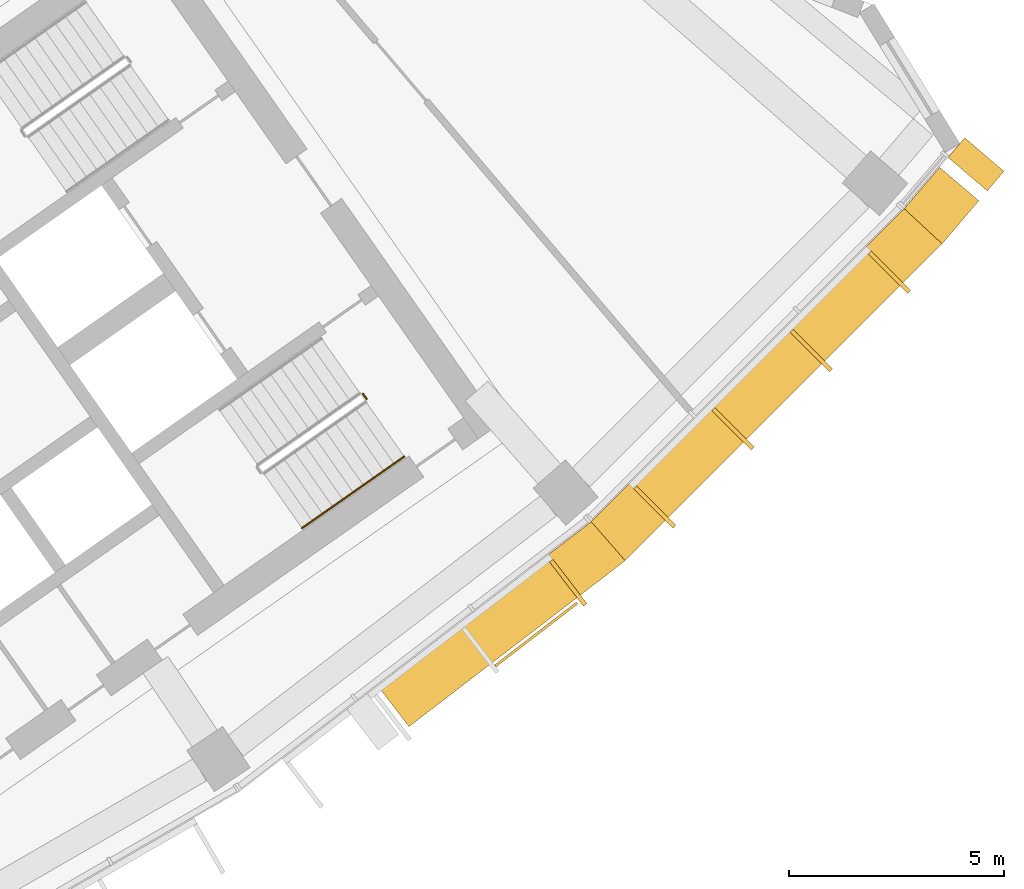
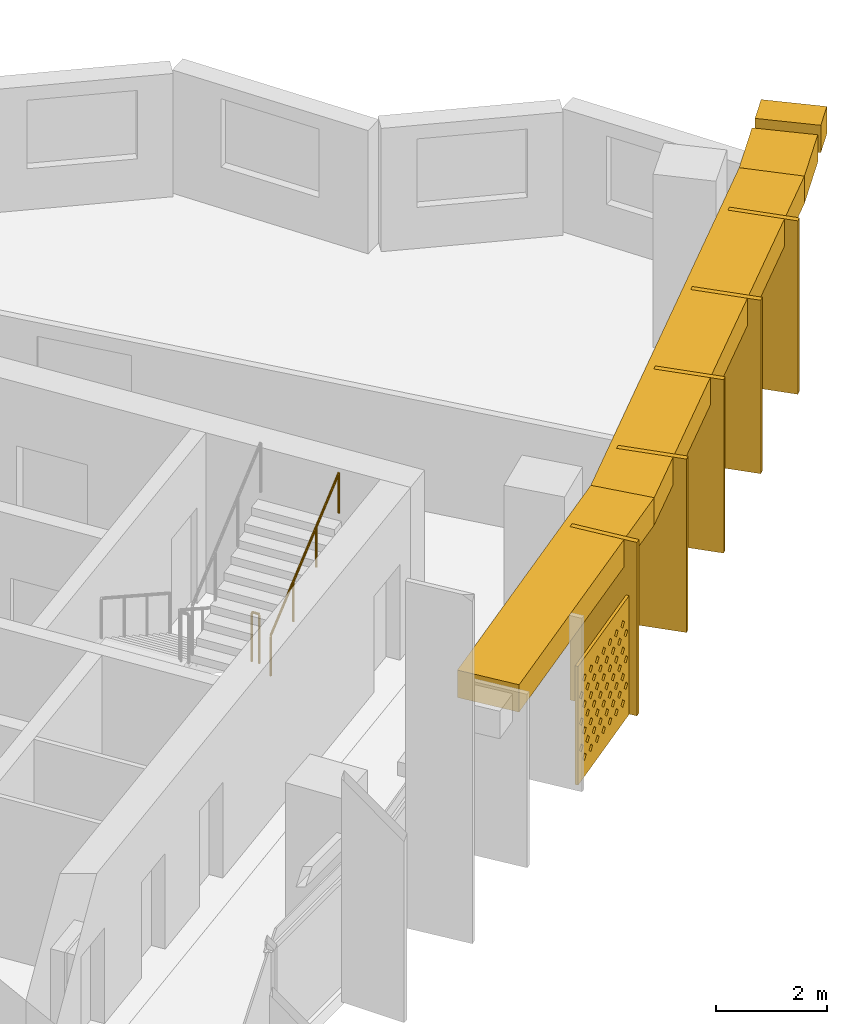
# One storey, part 27 of 27: 10 shading devices, 2 railings.
"""IFC4 building model written with IfcOpenShell, lengths in metres."""

from ifc_helpers import new_model, si_unit, direction, frame, origin, origin_2d, place, context, subcontext, project, spatial, polyline, rectangle, circle, outline, extrude, material, material_profile, profile_set, type_object, element, save


model = new_model("IFC4")

# Units and contexts
model_context = context("Model", 3, precision=1e-05, world=origin(), true_north=direction((0.0, 1.0)))
body_context = subcontext(model_context, "Body", "Model", "MODEL_VIEW")
ifc_project = project(units=[si_unit("LENGTHUNIT", "METRE"), si_unit("AREAUNIT", "SQUARE_METRE"), si_unit("VOLUMEUNIT", "CUBIC_METRE"), si_unit("PLANEANGLEUNIT", "RADIAN"), si_unit("MASSUNIT", "GRAM", prefix="KILO")], contexts=[model_context])

# Site, building, storey
site_placement = place(None, origin())
site = spatial("IfcSite", under=ifc_project, at=site_placement, CompositionType="ELEMENT")
building_placement = place(site_placement, origin())
building = spatial("IfcBuilding", under=site, at=building_placement, Name="Qamariyya Broadcast Tower", CompositionType="ELEMENT")
storey_placement = place(building_placement, frame((0.0, 0.0, 211.300048828125)))
storey = spatial("IfcBuildingStorey", under=building, at=storey_placement, Name="L50", CompositionType="ELEMENT", Elevation=211.300048828125)

# Shading devices
ifc_material_1 = material(Name="Steel S355 powder coated deep red", Category="steel")
shading_device_type_1 = type_object("IfcShadingDeviceType", Name="Deep red frame, powder coated steel box section", PredefinedType="USERDEFINED", material=ifc_material_1)
shading_device_1_placement = place(storey_placement, frame((0.0, 0.0, 3.199951171875)))
element("IfcShadingDevice", 1, at=shading_device_1_placement, inside=storey, type_object=shading_device_type_1, Name="e-frm-B4-F4-postb-L50", ObjectType="FRAME", PredefinedType="USERDEFINED", context=body_context, shape_type="SweptSolid", body=[
    extrude(outline(polyline([(60.1494140625, -50.664794921875), (61.0625, -51.443603515625), (61.451904296875, -50.987060546875), (60.538818359375, -50.208251953125), (60.1494140625, -50.664794921875)])), origin(), (0.0, 0.0, 1.0), 0.60009765625),
])
shading_device_2_placement = place(storey_placement, frame((0.0, 0.0, 3.199951171875)))
element("IfcShadingDevice", 2, at=shading_device_2_placement, inside=storey, type_object=shading_device_type_1, Name="e-frm-B4-F4-bot0", ObjectType="FRAME", PredefinedType="USERDEFINED", context=body_context, shape_type="SweptSolid", body=[
    extrude(outline(polyline([(46.892333984375, -62.942138671875), (47.622802734375, -63.894287109375), (52.650390625, -60.036376953125), (51.857666015625, -59.132080078125), (46.892333984375, -62.942138671875)])), origin(), (0.0, 0.0, 1.0), 0.60009765625),
])
shading_device_3_placement = place(storey_placement, frame((0.0, 0.0, 3.199951171875)))
element("IfcShadingDevice", 3, at=shading_device_3_placement, inside=storey, type_object=shading_device_type_1, Name="e-frm-B4-F4-bot1", ObjectType="FRAME", PredefinedType="USERDEFINED", context=body_context, shape_type="SweptSolid", body=[
    extrude(outline(polyline([(51.857666015625, -59.132080078125), (52.650390625, -60.036376953125), (60.014404296875, -52.67236328125), (59.132080078125, -51.857666015625), (51.857666015625, -59.132080078125)])), origin(), (0.0, 0.0, 1.0), 0.60009765625),
])
shading_device_4_placement = place(storey_placement, frame((0.0, 0.0, 3.199951171875)))
element("IfcShadingDevice", 4, at=shading_device_4_placement, inside=storey, type_object=shading_device_type_1, Name="e-frm-B4-F4-bot2", ObjectType="FRAME", PredefinedType="USERDEFINED", context=body_context, shape_type="SweptSolid", body=[
    extrude(outline(polyline([(59.132080078125, -51.857666015625), (60.014404296875, -52.67236328125), (60.867919921875, -51.671875), (59.954833984375, -50.89306640625), (59.132080078125, -51.857666015625)])), origin(), (0.0, 0.0, 1.0), 0.60009765625),
])
ifc_material_2 = material(Name="Perforated glazed terracotta", Category="masonry")
ifc_material_profile_1 = material_profile(ifc_material_2, outline(polyline([(-1.199951171875, -1.300048828125), (1.199951171875, -1.300048828125), (1.199951171875, 1.300048828125), (-1.199951171875, 1.300048828125), (-1.199951171875, -1.300048828125)]), holes=[polyline([(-0.81494140625, -0.86669921875), (-0.89990234375, -0.78173828125), (-0.985107421875, -0.86669921875), (-0.89990234375, -0.95166015625), (-0.81494140625, -0.86669921875)]), polyline([(-0.514892578125, -0.86669921875), (-0.60009765625, -0.78173828125), (-0.68505859375, -0.86669921875), (-0.60009765625, -0.95166015625), (-0.514892578125, -0.86669921875)]), polyline([(-0.215087890625, -0.86669921875), (-0.300048828125, -0.78173828125), (-0.385009765625, -0.86669921875), (-0.300048828125, -0.95166015625), (-0.215087890625, -0.86669921875)]), polyline([(0.0849609375, -0.86669921875), (0.0, -0.78173828125), (-0.0849609375, -0.86669921875), (0.0, -0.95166015625), (0.0849609375, -0.86669921875)]), polyline([(0.385009765625, -0.86669921875), (0.300048828125, -0.78173828125), (0.215087890625, -0.86669921875), (0.300048828125, -0.95166015625), (0.385009765625, -0.86669921875)]), polyline([(0.68505859375, -0.86669921875), (0.60009765625, -0.78173828125), (0.514892578125, -0.86669921875), (0.60009765625, -0.95166015625), (0.68505859375, -0.86669921875)]), polyline([(0.985107421875, -0.86669921875), (0.89990234375, -0.78173828125), (0.81494140625, -0.86669921875), (0.89990234375, -0.95166015625), (0.985107421875, -0.86669921875)]), polyline([(-0.965087890625, -0.577880859375), (-1.050048828125, -0.49267578125), (-1.135009765625, -0.577880859375), (-1.050048828125, -0.662841796875), (-0.965087890625, -0.577880859375)]), polyline([(-0.6650390625, -0.577880859375), (-0.75, -0.49267578125), (-0.8349609375, -0.577880859375), (-0.75, -0.662841796875), (-0.6650390625, -0.577880859375)]), polyline([(-0.364990234375, -0.577880859375), (-0.449951171875, -0.49267578125), (-0.534912109375, -0.577880859375), (-0.449951171875, -0.662841796875), (-0.364990234375, -0.577880859375)]), polyline([(-0.06494140625, -0.577880859375), (-0.14990234375, -0.49267578125), (-0.235107421875, -0.577880859375), (-0.14990234375, -0.662841796875), (-0.06494140625, -0.577880859375)]), polyline([(0.235107421875, -0.577880859375), (0.14990234375, -0.49267578125), (0.06494140625, -0.577880859375), (0.14990234375, -0.662841796875), (0.235107421875, -0.577880859375)]), polyline([(0.534912109375, -0.577880859375), (0.449951171875, -0.49267578125), (0.364990234375, -0.577880859375), (0.449951171875, -0.662841796875), (0.534912109375, -0.577880859375)]), polyline([(0.8349609375, -0.577880859375), (0.75, -0.49267578125), (0.6650390625, -0.577880859375), (0.75, -0.662841796875), (0.8349609375, -0.577880859375)]), polyline([(1.135009765625, -0.577880859375), (1.050048828125, -0.49267578125), (0.965087890625, -0.577880859375), (1.050048828125, -0.662841796875), (1.135009765625, -0.577880859375)]), polyline([(-0.81494140625, -0.288818359375), (-0.89990234375, -0.203857421875), (-0.985107421875, -0.288818359375), (-0.89990234375, -0.373779296875), (-0.81494140625, -0.288818359375)]), polyline([(-0.514892578125, -0.288818359375), (-0.60009765625, -0.203857421875), (-0.68505859375, -0.288818359375), (-0.60009765625, -0.373779296875), (-0.514892578125, -0.288818359375)]), polyline([(-0.215087890625, -0.288818359375), (-0.300048828125, -0.203857421875), (-0.385009765625, -0.288818359375), (-0.300048828125, -0.373779296875), (-0.215087890625, -0.288818359375)]), polyline([(0.0849609375, -0.288818359375), (0.0, -0.203857421875), (-0.0849609375, -0.288818359375), (0.0, -0.373779296875), (0.0849609375, -0.288818359375)]), polyline([(0.385009765625, -0.288818359375), (0.300048828125, -0.203857421875), (0.215087890625, -0.288818359375), (0.300048828125, -0.373779296875), (0.385009765625, -0.288818359375)]), polyline([(0.68505859375, -0.288818359375), (0.60009765625, -0.203857421875), (0.514892578125, -0.288818359375), (0.60009765625, -0.373779296875), (0.68505859375, -0.288818359375)]), polyline([(0.985107421875, -0.288818359375), (0.89990234375, -0.203857421875), (0.81494140625, -0.288818359375), (0.89990234375, -0.373779296875), (0.985107421875, -0.288818359375)]), polyline([(-0.965087890625, 0.0), (-1.050048828125, 0.0849609375), (-1.135009765625, 0.0), (-1.050048828125, -0.0849609375), (-0.965087890625, 0.0)]), polyline([(-0.6650390625, 0.0), (-0.75, 0.0849609375), (-0.8349609375, 0.0), (-0.75, -0.0849609375), (-0.6650390625, 0.0)]), polyline([(-0.364990234375, 0.0), (-0.449951171875, 0.0849609375), (-0.534912109375, 0.0), (-0.449951171875, -0.0849609375), (-0.364990234375, 0.0)]), polyline([(-0.06494140625, 0.0), (-0.14990234375, 0.0849609375), (-0.235107421875, 0.0), (-0.14990234375, -0.0849609375), (-0.06494140625, 0.0)]), polyline([(0.235107421875, 0.0), (0.14990234375, 0.0849609375), (0.06494140625, 0.0), (0.14990234375, -0.0849609375), (0.235107421875, 0.0)]), polyline([(0.534912109375, 0.0), (0.449951171875, 0.0849609375), (0.364990234375, 0.0), (0.449951171875, -0.0849609375), (0.534912109375, 0.0)]), polyline([(0.8349609375, 0.0), (0.75, 0.0849609375), (0.6650390625, 0.0), (0.75, -0.0849609375), (0.8349609375, 0.0)]), polyline([(1.135009765625, 0.0), (1.050048828125, 0.0849609375), (0.965087890625, 0.0), (1.050048828125, -0.0849609375), (1.135009765625, 0.0)]), polyline([(-0.81494140625, 0.288818359375), (-0.89990234375, 0.373779296875), (-0.985107421875, 0.288818359375), (-0.89990234375, 0.203857421875), (-0.81494140625, 0.288818359375)]), polyline([(-0.514892578125, 0.288818359375), (-0.60009765625, 0.373779296875), (-0.68505859375, 0.288818359375), (-0.60009765625, 0.203857421875), (-0.514892578125, 0.288818359375)]), polyline([(-0.215087890625, 0.288818359375), (-0.300048828125, 0.373779296875), (-0.385009765625, 0.288818359375), (-0.300048828125, 0.203857421875), (-0.215087890625, 0.288818359375)]), polyline([(0.0849609375, 0.288818359375), (0.0, 0.373779296875), (-0.0849609375, 0.288818359375), (0.0, 0.203857421875), (0.0849609375, 0.288818359375)]), polyline([(0.385009765625, 0.288818359375), (0.300048828125, 0.373779296875), (0.215087890625, 0.288818359375), (0.300048828125, 0.203857421875), (0.385009765625, 0.288818359375)]), polyline([(0.68505859375, 0.288818359375), (0.60009765625, 0.373779296875), (0.514892578125, 0.288818359375), (0.60009765625, 0.203857421875), (0.68505859375, 0.288818359375)]), polyline([(0.985107421875, 0.288818359375), (0.89990234375, 0.373779296875), (0.81494140625, 0.288818359375), (0.89990234375, 0.203857421875), (0.985107421875, 0.288818359375)]), polyline([(-0.965087890625, 0.577880859375), (-1.050048828125, 0.662841796875), (-1.135009765625, 0.577880859375), (-1.050048828125, 0.49267578125), (-0.965087890625, 0.577880859375)]), polyline([(-0.6650390625, 0.577880859375), (-0.75, 0.662841796875), (-0.8349609375, 0.577880859375), (-0.75, 0.49267578125), (-0.6650390625, 0.577880859375)]), polyline([(-0.364990234375, 0.577880859375), (-0.449951171875, 0.662841796875), (-0.534912109375, 0.577880859375), (-0.449951171875, 0.49267578125), (-0.364990234375, 0.577880859375)]), polyline([(-0.06494140625, 0.577880859375), (-0.14990234375, 0.662841796875), (-0.235107421875, 0.577880859375), (-0.14990234375, 0.49267578125), (-0.06494140625, 0.577880859375)]), polyline([(0.235107421875, 0.577880859375), (0.14990234375, 0.662841796875), (0.06494140625, 0.577880859375), (0.14990234375, 0.49267578125), (0.235107421875, 0.577880859375)]), polyline([(0.534912109375, 0.577880859375), (0.449951171875, 0.662841796875), (0.364990234375, 0.577880859375), (0.449951171875, 0.49267578125), (0.534912109375, 0.577880859375)]), polyline([(0.8349609375, 0.577880859375), (0.75, 0.662841796875), (0.6650390625, 0.577880859375), (0.75, 0.49267578125), (0.8349609375, 0.577880859375)]), polyline([(1.135009765625, 0.577880859375), (1.050048828125, 0.662841796875), (0.965087890625, 0.577880859375), (1.050048828125, 0.49267578125), (1.135009765625, 0.577880859375)]), polyline([(-0.81494140625, 0.86669921875), (-0.89990234375, 0.95166015625), (-0.985107421875, 0.86669921875), (-0.89990234375, 0.78173828125), (-0.81494140625, 0.86669921875)]), polyline([(-0.514892578125, 0.86669921875), (-0.60009765625, 0.95166015625), (-0.68505859375, 0.86669921875), (-0.60009765625, 0.78173828125), (-0.514892578125, 0.86669921875)]), polyline([(-0.215087890625, 0.86669921875), (-0.300048828125, 0.95166015625), (-0.385009765625, 0.86669921875), (-0.300048828125, 0.78173828125), (-0.215087890625, 0.86669921875)]), polyline([(0.0849609375, 0.86669921875), (0.0, 0.95166015625), (-0.0849609375, 0.86669921875), (0.0, 0.78173828125), (0.0849609375, 0.86669921875)]), polyline([(0.385009765625, 0.86669921875), (0.300048828125, 0.95166015625), (0.215087890625, 0.86669921875), (0.300048828125, 0.78173828125), (0.385009765625, 0.86669921875)]), polyline([(0.68505859375, 0.86669921875), (0.60009765625, 0.95166015625), (0.514892578125, 0.86669921875), (0.60009765625, 0.78173828125), (0.68505859375, 0.86669921875)]), polyline([(0.985107421875, 0.86669921875), (0.89990234375, 0.95166015625), (0.81494140625, 0.86669921875), (0.89990234375, 0.78173828125), (0.985107421875, 0.86669921875)])]))
ifc_profile_set_1 = profile_set([ifc_material_profile_1], Name="Perforated glazed terracotta")
shading_device_type_2 = type_object("IfcShadingDeviceType", Name="Perforated terracotta screen 2400 x 2600", PredefinedType="USERDEFINED", material=ifc_profile_set_1)
shading_device_5_placement = place(storey_placement, frame((50.5615234375, -61.727294921875, 1.349853515625), z_axis=(0.60971076085, -0.792623989105, 0.0), x_axis=(0.792623989105, 0.60971076085, 0.0)))
element("IfcShadingDevice", 5, at=shading_device_5_placement, inside=storey, type_object=shading_device_type_2, Name="e-scr-L50-13-2", ObjectType="SCREEN", PredefinedType="USERDEFINED", context=body_context, shape_type="SweptSolid", body=[
    extrude(outline(polyline([(-1.199951171875, -1.300048828125), (1.199951171875, -1.300048828125), (1.199951171875, 1.300048828125), (-1.199951171875, 1.300048828125), (-1.199951171875, -1.300048828125)]), holes=[polyline([(-0.81494140625, -0.86669921875), (-0.89990234375, -0.78173828125), (-0.985107421875, -0.86669921875), (-0.89990234375, -0.95166015625), (-0.81494140625, -0.86669921875)]), polyline([(-0.514892578125, -0.86669921875), (-0.60009765625, -0.78173828125), (-0.68505859375, -0.86669921875), (-0.60009765625, -0.95166015625), (-0.514892578125, -0.86669921875)]), polyline([(-0.215087890625, -0.86669921875), (-0.300048828125, -0.78173828125), (-0.385009765625, -0.86669921875), (-0.300048828125, -0.95166015625), (-0.215087890625, -0.86669921875)]), polyline([(0.0849609375, -0.86669921875), (0.0, -0.78173828125), (-0.0849609375, -0.86669921875), (0.0, -0.95166015625), (0.0849609375, -0.86669921875)]), polyline([(0.385009765625, -0.86669921875), (0.300048828125, -0.78173828125), (0.215087890625, -0.86669921875), (0.300048828125, -0.95166015625), (0.385009765625, -0.86669921875)]), polyline([(0.68505859375, -0.86669921875), (0.60009765625, -0.78173828125), (0.514892578125, -0.86669921875), (0.60009765625, -0.95166015625), (0.68505859375, -0.86669921875)]), polyline([(0.985107421875, -0.86669921875), (0.89990234375, -0.78173828125), (0.81494140625, -0.86669921875), (0.89990234375, -0.95166015625), (0.985107421875, -0.86669921875)]), polyline([(-0.965087890625, -0.577880859375), (-1.050048828125, -0.49267578125), (-1.135009765625, -0.577880859375), (-1.050048828125, -0.662841796875), (-0.965087890625, -0.577880859375)]), polyline([(-0.6650390625, -0.577880859375), (-0.75, -0.49267578125), (-0.8349609375, -0.577880859375), (-0.75, -0.662841796875), (-0.6650390625, -0.577880859375)]), polyline([(-0.364990234375, -0.577880859375), (-0.449951171875, -0.49267578125), (-0.534912109375, -0.577880859375), (-0.449951171875, -0.662841796875), (-0.364990234375, -0.577880859375)]), polyline([(-0.06494140625, -0.577880859375), (-0.14990234375, -0.49267578125), (-0.235107421875, -0.577880859375), (-0.14990234375, -0.662841796875), (-0.06494140625, -0.577880859375)]), polyline([(0.235107421875, -0.577880859375), (0.14990234375, -0.49267578125), (0.06494140625, -0.577880859375), (0.14990234375, -0.662841796875), (0.235107421875, -0.577880859375)]), polyline([(0.534912109375, -0.577880859375), (0.449951171875, -0.49267578125), (0.364990234375, -0.577880859375), (0.449951171875, -0.662841796875), (0.534912109375, -0.577880859375)]), polyline([(0.8349609375, -0.577880859375), (0.75, -0.49267578125), (0.6650390625, -0.577880859375), (0.75, -0.662841796875), (0.8349609375, -0.577880859375)]), polyline([(1.135009765625, -0.577880859375), (1.050048828125, -0.49267578125), (0.965087890625, -0.577880859375), (1.050048828125, -0.662841796875), (1.135009765625, -0.577880859375)]), polyline([(-0.81494140625, -0.288818359375), (-0.89990234375, -0.203857421875), (-0.985107421875, -0.288818359375), (-0.89990234375, -0.373779296875), (-0.81494140625, -0.288818359375)]), polyline([(-0.514892578125, -0.288818359375), (-0.60009765625, -0.203857421875), (-0.68505859375, -0.288818359375), (-0.60009765625, -0.373779296875), (-0.514892578125, -0.288818359375)]), polyline([(-0.215087890625, -0.288818359375), (-0.300048828125, -0.203857421875), (-0.385009765625, -0.288818359375), (-0.300048828125, -0.373779296875), (-0.215087890625, -0.288818359375)]), polyline([(0.0849609375, -0.288818359375), (0.0, -0.203857421875), (-0.0849609375, -0.288818359375), (0.0, -0.373779296875), (0.0849609375, -0.288818359375)]), polyline([(0.385009765625, -0.288818359375), (0.300048828125, -0.203857421875), (0.215087890625, -0.288818359375), (0.300048828125, -0.373779296875), (0.385009765625, -0.288818359375)]), polyline([(0.68505859375, -0.288818359375), (0.60009765625, -0.203857421875), (0.514892578125, -0.288818359375), (0.60009765625, -0.373779296875), (0.68505859375, -0.288818359375)]), polyline([(0.985107421875, -0.288818359375), (0.89990234375, -0.203857421875), (0.81494140625, -0.288818359375), (0.89990234375, -0.373779296875), (0.985107421875, -0.288818359375)]), polyline([(-0.965087890625, 0.0), (-1.050048828125, 0.0849609375), (-1.135009765625, 0.0), (-1.050048828125, -0.0849609375), (-0.965087890625, 0.0)]), polyline([(-0.6650390625, 0.0), (-0.75, 0.0849609375), (-0.8349609375, 0.0), (-0.75, -0.0849609375), (-0.6650390625, 0.0)]), polyline([(-0.364990234375, 0.0), (-0.449951171875, 0.0849609375), (-0.534912109375, 0.0), (-0.449951171875, -0.0849609375), (-0.364990234375, 0.0)]), polyline([(-0.06494140625, 0.0), (-0.14990234375, 0.0849609375), (-0.235107421875, 0.0), (-0.14990234375, -0.0849609375), (-0.06494140625, 0.0)]), polyline([(0.235107421875, 0.0), (0.14990234375, 0.0849609375), (0.06494140625, 0.0), (0.14990234375, -0.0849609375), (0.235107421875, 0.0)]), polyline([(0.534912109375, 0.0), (0.449951171875, 0.0849609375), (0.364990234375, 0.0), (0.449951171875, -0.0849609375), (0.534912109375, 0.0)]), polyline([(0.8349609375, 0.0), (0.75, 0.0849609375), (0.6650390625, 0.0), (0.75, -0.0849609375), (0.8349609375, 0.0)]), polyline([(1.135009765625, 0.0), (1.050048828125, 0.0849609375), (0.965087890625, 0.0), (1.050048828125, -0.0849609375), (1.135009765625, 0.0)]), polyline([(-0.81494140625, 0.288818359375), (-0.89990234375, 0.373779296875), (-0.985107421875, 0.288818359375), (-0.89990234375, 0.203857421875), (-0.81494140625, 0.288818359375)]), polyline([(-0.514892578125, 0.288818359375), (-0.60009765625, 0.373779296875), (-0.68505859375, 0.288818359375), (-0.60009765625, 0.203857421875), (-0.514892578125, 0.288818359375)]), polyline([(-0.215087890625, 0.288818359375), (-0.300048828125, 0.373779296875), (-0.385009765625, 0.288818359375), (-0.300048828125, 0.203857421875), (-0.215087890625, 0.288818359375)]), polyline([(0.0849609375, 0.288818359375), (0.0, 0.373779296875), (-0.0849609375, 0.288818359375), (0.0, 0.203857421875), (0.0849609375, 0.288818359375)]), polyline([(0.385009765625, 0.288818359375), (0.300048828125, 0.373779296875), (0.215087890625, 0.288818359375), (0.300048828125, 0.203857421875), (0.385009765625, 0.288818359375)]), polyline([(0.68505859375, 0.288818359375), (0.60009765625, 0.373779296875), (0.514892578125, 0.288818359375), (0.60009765625, 0.203857421875), (0.68505859375, 0.288818359375)]), polyline([(0.985107421875, 0.288818359375), (0.89990234375, 0.373779296875), (0.81494140625, 0.288818359375), (0.89990234375, 0.203857421875), (0.985107421875, 0.288818359375)]), polyline([(-0.965087890625, 0.577880859375), (-1.050048828125, 0.662841796875), (-1.135009765625, 0.577880859375), (-1.050048828125, 0.49267578125), (-0.965087890625, 0.577880859375)]), polyline([(-0.6650390625, 0.577880859375), (-0.75, 0.662841796875), (-0.8349609375, 0.577880859375), (-0.75, 0.49267578125), (-0.6650390625, 0.577880859375)]), polyline([(-0.364990234375, 0.577880859375), (-0.449951171875, 0.662841796875), (-0.534912109375, 0.577880859375), (-0.449951171875, 0.49267578125), (-0.364990234375, 0.577880859375)]), polyline([(-0.06494140625, 0.577880859375), (-0.14990234375, 0.662841796875), (-0.235107421875, 0.577880859375), (-0.14990234375, 0.49267578125), (-0.06494140625, 0.577880859375)]), polyline([(0.235107421875, 0.577880859375), (0.14990234375, 0.662841796875), (0.06494140625, 0.577880859375), (0.14990234375, 0.49267578125), (0.235107421875, 0.577880859375)]), polyline([(0.534912109375, 0.577880859375), (0.449951171875, 0.662841796875), (0.364990234375, 0.577880859375), (0.449951171875, 0.49267578125), (0.534912109375, 0.577880859375)]), polyline([(0.8349609375, 0.577880859375), (0.75, 0.662841796875), (0.6650390625, 0.577880859375), (0.75, 0.49267578125), (0.8349609375, 0.577880859375)]), polyline([(1.135009765625, 0.577880859375), (1.050048828125, 0.662841796875), (0.965087890625, 0.577880859375), (1.050048828125, 0.49267578125), (1.135009765625, 0.577880859375)]), polyline([(-0.81494140625, 0.86669921875), (-0.89990234375, 0.95166015625), (-0.985107421875, 0.86669921875), (-0.89990234375, 0.78173828125), (-0.81494140625, 0.86669921875)]), polyline([(-0.514892578125, 0.86669921875), (-0.60009765625, 0.95166015625), (-0.68505859375, 0.86669921875), (-0.60009765625, 0.78173828125), (-0.514892578125, 0.86669921875)]), polyline([(-0.215087890625, 0.86669921875), (-0.300048828125, 0.95166015625), (-0.385009765625, 0.86669921875), (-0.300048828125, 0.78173828125), (-0.215087890625, 0.86669921875)]), polyline([(0.0849609375, 0.86669921875), (0.0, 0.95166015625), (-0.0849609375, 0.86669921875), (0.0, 0.78173828125), (0.0849609375, 0.86669921875)]), polyline([(0.385009765625, 0.86669921875), (0.300048828125, 0.95166015625), (0.215087890625, 0.86669921875), (0.300048828125, 0.78173828125), (0.385009765625, 0.86669921875)]), polyline([(0.68505859375, 0.86669921875), (0.60009765625, 0.95166015625), (0.514892578125, 0.86669921875), (0.60009765625, 0.78173828125), (0.68505859375, 0.86669921875)]), polyline([(0.985107421875, 0.86669921875), (0.89990234375, 0.95166015625), (0.81494140625, 0.86669921875), (0.89990234375, 0.78173828125), (0.985107421875, 0.86669921875)])]), origin(), (0.0, 0.0, 1.0), 0.06005859375),
])

# Railings
ifc_material_3 = material(Name="Painted steel", Category="steel")
railing_type_1 = type_object("IfcRailingType", Name="Stair guard", PredefinedType="GUARDRAIL", material=ifc_material_3)
railing_1_placement = place(storey_placement, frame((46.550537109375, -56.1552734375, 0.0)))
element("IfcRailing", 6, at=railing_1_placement, inside=storey, type_object=railing_type_1, Name="L50 ST-E1 stair guard 3", PredefinedType="GUARDRAIL", context=body_context, shape_type="SweptSolid", body=[
    extrude(circle(Radius=0.02392578125, at=origin_2d()), frame((0.0, 0.0, 1.076171875), z_axis=(0.574444878118, -0.818543268254, 0.0), x_axis=(0.818543268254, 0.574444878118, 0.0)), (0.0, 0.0, 1.0), 0.150146484375),
    extrude(circle(Radius=0.02099609375, at=origin_2d()), origin(), (0.0, 0.0, 1.0), 1.052001953125),
    extrude(circle(Radius=0.02099609375, at=origin_2d()), frame((0.086181640625, -0.122802734375, 0.0)), (0.0, 0.0, 1.0), 1.052001953125),
])
ifc_material_4 = material(Name="Stainless steel", Category="steel")
railing_type_2 = type_object("IfcRailingType", Name="Stair handrail", PredefinedType="HANDRAIL", material=ifc_material_4)
railing_2_placement = place(storey_placement, frame((45.137939453125, -59.28076171875, 2.07275390625)))
element("IfcRailing", 7, at=railing_2_placement, inside=storey, type_object=railing_type_2, Name="L50 ST-E1 stair handrail 2", PredefinedType="HANDRAIL", context=body_context, shape_type="SweptSolid", body=[
    extrude(circle(Radius=0.02392578125, at=origin_2d()), frame((0.0, 0.0, 0.8759765625), z_axis=(0.703770094002, 0.492783725636, 0.511734163933), x_axis=(-0.573575343427, 0.819152809562, 0.0)), (0.0, 0.0, 1.0), 3.37548828125),
    extrude(circle(Radius=0.02099609375, at=origin_2d()), origin(), (0.0, 0.0, 1.0), 0.851806640625),
    extrude(circle(Radius=0.02099609375, at=origin_2d()), frame((0.791748046875, 0.554443359375, 0.57568359375)), (0.0, 0.0, 1.0), 0.851806640625),
    extrude(circle(Radius=0.02099609375, at=origin_2d()), frame((1.583740234375, 1.10888671875, 1.151611328125)), (0.0, 0.0, 1.0), 0.851806640625),
    extrude(circle(Radius=0.02099609375, at=origin_2d()), frame((2.37548828125, 1.663330078125, 1.727294921875)), (0.0, 0.0, 1.0), 0.851806640625),
])

# Shading devices
ifc_material_5 = material(Name="Glazed terracotta", Category="masonry")
ifc_material_profile_2 = material_profile(ifc_material_5, rectangle(XDim=1.300048828125, YDim=0.10009765625, at=origin_2d()))
ifc_profile_set_2 = profile_set([ifc_material_profile_2], Name="Glazed terracotta")
shading_device_type_3 = type_object("IfcShadingDeviceType", Name="Terracotta fin 100 x 1300", PredefinedType="USERDEFINED", material=ifc_profile_set_2)
for number, where, z_axis, x_axis, name in (
    (8, (51.32421875, -60.5498046875, 0.0), (0.0, 0.0, 1.0), (0.608761429009, -0.793353340291, 0.0), "e-fin-L50-13-3"),
    (9, (53.33251953125, -58.78857421875, 0.0), (0.0, 0.0, 1.0), (0.707106781187, -0.707106781187, 0.0), "e-fin-L50-14-0"),
    (10, (55.151123046875, -56.969970703125, 0.0), (0.0, 0.0, 1.0), (0.707106781187, -0.707106781187, 0.0), "e-fin-L50-14-1"),
    (11, (56.969970703125, -55.151123046875, 0.0), (0.0, 0.0, 1.0), (0.707106781187, -0.707106781187, 0.0), "e-fin-L50-14-2"),
    (12, (58.78857421875, -53.33251953125, 0.0), (0.0, 0.0, 1.0), (0.707106781187, -0.707106781187, 0.0), "e-fin-L50-14-3"),
):
    element("IfcShadingDevice", number, at=place(storey_placement, frame(where, z_axis=z_axis, x_axis=x_axis)), inside=storey, type_object=shading_device_type_3, Name=name, ObjectType="FIN", PredefinedType="USERDEFINED", context=body_context, shape_type="SweptSolid", body=[
        extrude(rectangle(XDim=1.300048828125, YDim=0.10009765625, at=origin_2d()), origin(), (0.0, 0.0, 1.0), 3.800048828125),
    ])

save(model, "model.ifc")
